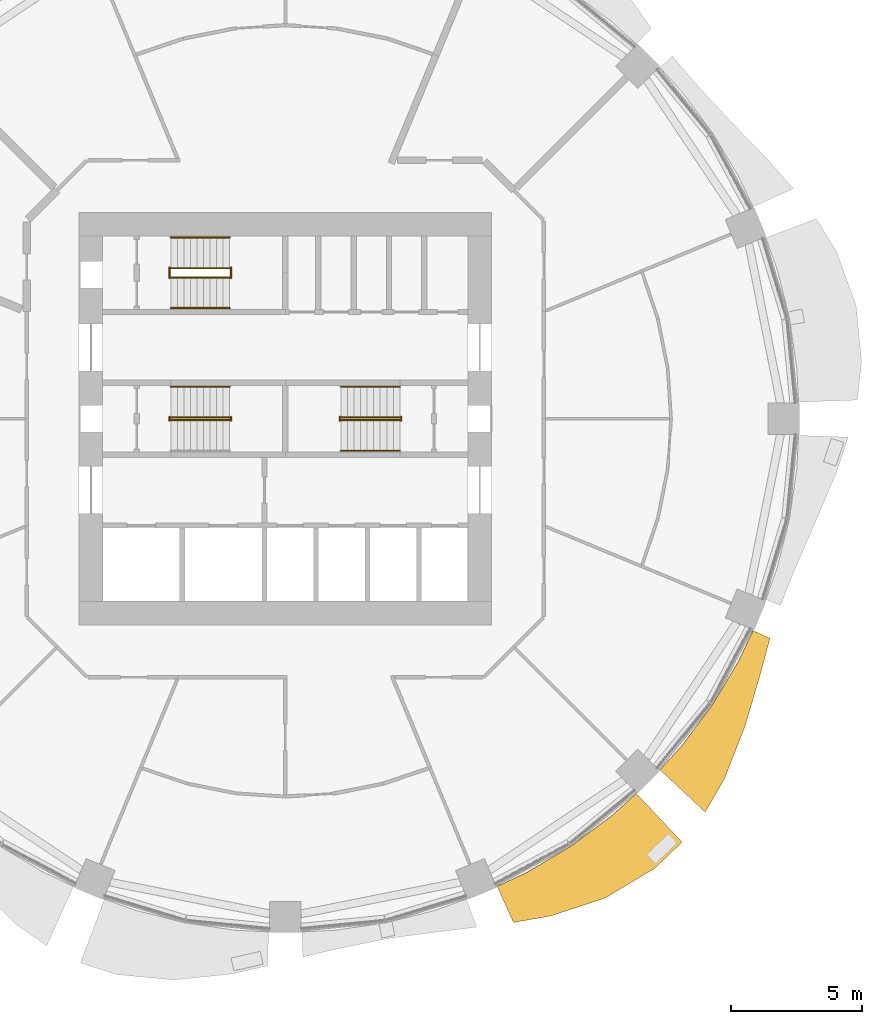
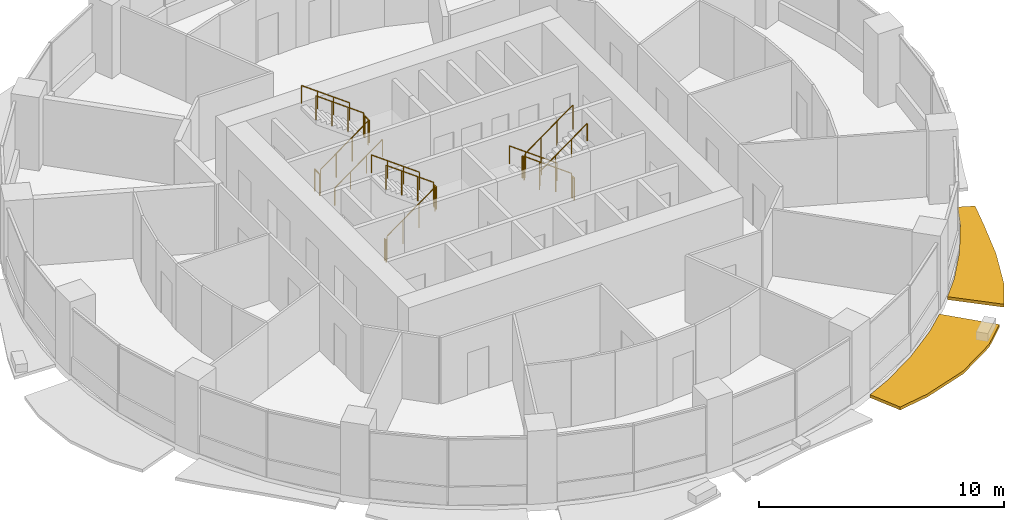
# One storey, part 13 of 15: 17 railings, 2 shading devices.
"""IFC4 building model written with IfcOpenShell, lengths in metres."""

import ifcopenshell
import ifcopenshell.guid

model = None  # the IFC model being written
_history = None  # IfcOwnerHistory: only IFC2X3 demands one
_inside = {}  # id of a spatial element -> (the spatial element, [elements in it])
_under = {}  # id of a project, library or spatial element -> (it, [spatial elements below it])
_declared = {}  # id of a project -> (the project, [libraries it declares])
_typed = {}  # id of a type object -> (the type object, [elements of that type])
_made_of = {}  # id of a material, layer set ... -> (it, [elements and type objects made of it])


def new_model(schema):
    """Start an empty IFC model of exactly this schema.

    Asked for "IFC4X3", IfcOpenShell would pick the latest addendum, in which some entities
    have other attributes; the version numbers below select the first issue.
    IFC2X3 requires an IfcOwnerHistory on every rooted entity: one is made here for all.
    """
    global model, _history
    if schema == "IFC4X3":
        model = ifcopenshell.file(schema_version=(4, 3, 0, 0))
    else:
        model = ifcopenshell.file(schema=schema)
    _inside.clear()
    _under.clear()
    _declared.clear()
    _typed.clear()
    _made_of.clear()
    _history = None
    if model.schema == "IFC2X3":
        org = make("IfcOrganization", Name="unknown")
        user = make(
            "IfcPersonAndOrganization",
            ThePerson=make("IfcPerson", FamilyName="unknown"),
            TheOrganization=org,
        )
        app = make(
            "IfcApplication",
            ApplicationDeveloper=org,
            Version="unknown",
            ApplicationFullName="unknown",
            ApplicationIdentifier="unknown",
        )
        _history = make(
            "IfcOwnerHistory",
            OwningUser=user,
            OwningApplication=app,
            ChangeAction="ADDED",
            CreationDate=0,
        )
    return model


def make(cls, **values):
    """One entity of the class cls with the attributes given. An attribute that is None is left unset."""
    return model.create_entity(
        cls, **{name: value for name, value in values.items() if value is not None}
    )


def rooted(cls, **values):
    """An entity with a GlobalId (a new one), such as an element, a storey or a relation."""
    return make(cls, GlobalId=ifcopenshell.guid.new(), OwnerHistory=_history, **values)


def si_unit(unit_type, name, prefix=None):
    """IfcSIUnit, for example si_unit("LENGTHUNIT", "METRE", prefix="MILLI")."""
    return make("IfcSIUnit", UnitType=unit_type, Prefix=prefix, Name=name)


def assignment(units):
    """IfcUnitAssignment: the units of a project."""
    return None if units is None else make("IfcUnitAssignment", Units=units)


def point(xyz):
    """IfcCartesianPoint."""
    return None if xyz is None else make("IfcCartesianPoint", Coordinates=xyz)


def direction(xyz):
    """IfcDirection."""
    return None if xyz is None else make("IfcDirection", DirectionRatios=xyz)


def frame(location, z_axis=None, x_axis=None):
    """IfcAxis2Placement3D, a coordinate frame: its origin and axes. An axis left out is left unset."""
    return make(
        "IfcAxis2Placement3D",
        Location=point(location),
        Axis=direction(z_axis),
        RefDirection=direction(x_axis),
    )


def frame_2d(location, x_axis=None):
    """IfcAxis2Placement2D, a coordinate frame in the plane: its origin and x axis."""
    return make(
        "IfcAxis2Placement2D", Location=point(location), RefDirection=direction(x_axis)
    )


def origin():
    """The frame at (0, 0, 0) with its axes left unset."""
    return frame((0.0, 0.0, 0.0))


def origin_2d():
    """The frame at (0, 0) in the plane with its x axis left unset."""
    return frame_2d((0.0, 0.0))


def place(relative_to, where):
    """IfcLocalPlacement: puts the frame where relative to a parent placement (None: the world)."""
    return make(
        "IfcLocalPlacement", PlacementRelTo=relative_to, RelativePlacement=where
    )


def context(
    kind, dimensions, precision=None, world=None, true_north=None, identifier=None
):
    """IfcGeometricRepresentationContext, for example the 3D "Model" context."""
    return make(
        "IfcGeometricRepresentationContext",
        ContextIdentifier=identifier,
        ContextType=kind,
        CoordinateSpaceDimension=dimensions,
        Precision=precision,
        WorldCoordinateSystem=world,
        TrueNorth=true_north,
    )


def subcontext(parent, identifier, kind, view, scale=None):
    """IfcGeometricRepresentationSubContext, for example "Body" below "Model"."""
    return make(
        "IfcGeometricRepresentationSubContext",
        ContextIdentifier=identifier,
        ContextType=kind,
        ParentContext=parent,
        TargetScale=scale,
        TargetView=view,
    )


def project(units=None, contexts=None):
    """IfcProject with its units and contexts."""
    return rooted(
        "IfcProject",
        Name="project",
        RepresentationContexts=contexts,
        UnitsInContext=assignment(units),
    )


def spatial(cls, under=None, at=None, **own):
    """A site, building, storey or space (cls), placed at a placement, below another one or the project."""
    s = rooted(cls, ObjectPlacement=at, **own)
    if under is not None:
        _under.setdefault(under.id(), (under, []))[1].append(s)
    return s


def polyline(points):
    """IfcPolyline through the points."""
    return make("IfcPolyline", Points=[point(p) for p in points])


def profile(cls, at=None, kind="AREA", **sizes):
    """A parametric profile (cls). Its sizes go by their IFC names, for example OverallWidth=200.0."""
    return make(cls, ProfileType=kind, Position=at, **sizes)


def circle(**sizes):
    """IfcCircleProfileDef."""
    return profile("IfcCircleProfileDef", **sizes)


def outline(outer, holes=None, kind="AREA"):
    """IfcArbitraryClosedProfileDef: a profile drawn as a closed curve; with holes, ...WithVoids."""
    if holes is None:
        return make("IfcArbitraryClosedProfileDef", ProfileType=kind, OuterCurve=outer)
    return make(
        "IfcArbitraryProfileDefWithVoids",
        ProfileType=kind,
        OuterCurve=outer,
        InnerCurves=holes,
    )


def extrude(swept, where, along, depth):
    """IfcExtrudedAreaSolid: the profile swept, set in the frame where, extruded along a direction by depth."""
    return make(
        "IfcExtrudedAreaSolid",
        SweptArea=swept,
        Position=where,
        ExtrudedDirection=direction(along),
        Depth=depth,
    )


def shape(context_of_items, identifier, shape_type, items):
    """IfcShapeRepresentation: the items that make up one representation, for example the "Body"."""
    return make(
        "IfcShapeRepresentation",
        ContextOfItems=context_of_items,
        RepresentationIdentifier=identifier,
        RepresentationType=shape_type,
        Items=items,
    )


def material(Name=None, Category=None):
    """IfcMaterial."""
    return make("IfcMaterial", Name=Name, Category=Category)


def made_of(thing, what):
    """Note that an element or type object is made of a material, layer set ...; save() writes the relation."""
    if what is not None:
        _made_of.setdefault(what.id(), (what, []))[1].append(thing)
    return thing


def type_object(cls, material=None, **own):
    """A type object (cls), such as IfcWallType, which elements share."""
    return made_of(rooted(cls, **own), material)


def element(
    cls,
    number,
    at=None,
    inside=None,
    cuts=None,
    type_object=None,
    material=None,
    context=None,
    identifier="Body",
    shape_type=None,
    held_by="IfcProductDefinitionShape",
    body=None,
    shapes=None,
    **own,
):
    """One element of the class cls, such as IfcWall. Its Tag is "e" and its number.

    at: its placement. inside: the storey or other place that contains it. cuts: it is an
    opening in that element (IfcRelVoidsElement). A single representation is given by context,
    identifier, shape_type and body (its items); several are given by shapes. held_by: the class
    of the entity that holds the representations. save() writes the other relations.
    """
    e = rooted(cls, Tag="e%d" % number, ObjectPlacement=at, **own)
    if body is not None:
        shapes = [shape(context, identifier, shape_type, body)]
    if shapes is not None:
        e.Representation = make(held_by, Representations=shapes)
    if inside is not None:
        _inside.setdefault(inside.id(), (inside, []))[1].append(e)
    if cuts is not None:
        rooted(
            "IfcRelVoidsElement", RelatingBuildingElement=cuts, RelatedOpeningElement=e
        )
    if type_object is not None:
        _typed.setdefault(type_object.id(), (type_object, []))[1].append(e)
    return made_of(e, material)


def aggregate(whole, parts):
    """IfcRelAggregates: a whole, such as a stair, and the parts it consists of."""
    return rooted("IfcRelAggregates", RelatingObject=whole, RelatedObjects=parts)


def save(model, path):
    """Write the relations noted so far, then the file.

    IfcRelAggregates (storeys below a building ...), IfcRelContainedInSpatialStructure (elements
    in a storey), IfcRelDefinesByType, IfcRelAssociatesMaterial and IfcRelDeclares: one each for
    every whole, place, type object, material and project.
    """
    for whole, parts in _under.values():
        aggregate(whole, parts)
    for where, things in _inside.values():
        rooted(
            "IfcRelContainedInSpatialStructure",
            RelatedElements=things,
            RelatingStructure=where,
        )
    for kind, things in _typed.values():
        rooted("IfcRelDefinesByType", RelatedObjects=things, RelatingType=kind)
    for what, things in _made_of.values():
        rooted("IfcRelAssociatesMaterial", RelatedObjects=things, RelatingMaterial=what)
    for by, libraries in _declared.values():
        rooted("IfcRelDeclares", RelatingContext=by, RelatedDefinitions=libraries)
    model.write(path)


model = new_model("IFC4")

# Units and contexts
model_context = context("Model", 3, precision=1e-05, world=origin(), true_north=direction((0.0, 1.0)))
body_context = subcontext(model_context, "Body", "Model", "MODEL_VIEW")
ifc_project = project(units=[si_unit("LENGTHUNIT", "METRE"), si_unit("AREAUNIT", "SQUARE_METRE"), si_unit("VOLUMEUNIT", "CUBIC_METRE"), si_unit("PLANEANGLEUNIT", "RADIAN"), si_unit("MASSUNIT", "GRAM", prefix="KILO")], contexts=[model_context])

# Site, building, storey
site_placement = place(None, origin())
site = spatial("IfcSite", under=ifc_project, at=site_placement, CompositionType="ELEMENT")
building_placement = place(site_placement, origin())
building = spatial("IfcBuilding", under=site, at=building_placement, Name="Polderwave Tower", CompositionType="ELEMENT")
storey_placement = place(building_placement, frame((0.0, 0.0, 48.10009765625)))
storey = spatial("IfcBuildingStorey", under=building, at=storey_placement, Name="L12", CompositionType="ELEMENT", Elevation=48.10009765625)

# Railings
ifc_material_1 = material(Name="Stainless steel", Category="steel")
railing_type_1 = type_object("IfcRailingType", Name="Stair guard 1100", PredefinedType="GUARDRAIL", material=ifc_material_1)
railing_1_placement = place(storey_placement, frame((-4.3740234375, -0.051025390625, 0.062255859375)))
element("IfcRailing", 1, at=railing_1_placement, inside=storey, type_object=railing_type_1, Name="L12 ST-A stair guard 1", PredefinedType="GUARDRAIL", context=body_context, shape_type="SweptSolid", body=[
    extrude(circle(Radius=0.02392578125, at=origin_2d()), frame((0.0, 0.0, 1.1962890625), z_axis=(0.807673635365, 0.0, 0.58962979804), x_axis=(0.0, 1.0, 0.0)), (0.0, 0.0, 1.0), 2.785888671875),
    extrude(circle(Radius=0.02392578125, at=origin_2d()), origin(), (0.0, 0.0, 1.0), 1.172119140625),
    extrude(circle(Radius=0.02392578125, at=origin_2d()), frame((0.75, 0.0, 0.547607421875)), (0.0, 0.0, 1.0), 1.172119140625),
    extrude(circle(Radius=0.02392578125, at=origin_2d()), frame((1.5, 0.0, 1.094970703125)), (0.0, 0.0, 1.0), 1.172119140625),
    extrude(circle(Radius=0.02392578125, at=origin_2d()), frame((2.25, 0.0, 1.642578125)), (0.0, 0.0, 1.0), 1.172119140625),
])
railing_2_placement = place(storey_placement, frame((-2.073974609375, -0.074951171875, 1.824951171875)))
element("IfcRailing", 2, at=railing_2_placement, inside=storey, type_object=railing_type_1, Name="L12 ST-A stair guard 2", PredefinedType="GUARDRAIL", context=body_context, shape_type="SweptSolid", body=[
    extrude(circle(Radius=0.02392578125, at=origin_2d()), frame((0.0, 0.0, 1.076171875), z_axis=(0.0, 1.0, 0.0), x_axis=(-1.0, 0.0, 0.0)), (0.0, 0.0, 1.0), 0.14990234375),
    extrude(circle(Radius=0.02099609375, at=origin_2d()), origin(), (0.0, 0.0, 1.0), 1.052001953125),
    extrude(circle(Radius=0.02099609375, at=origin_2d()), frame((0.0, 0.14990234375, 0.0)), (0.0, 0.0, 1.0), 1.052001953125),
])
railing_3_placement = place(storey_placement, frame((-2.1240234375, 0.051025390625, 1.88720703125)))
element("IfcRailing", 3, at=railing_3_placement, inside=storey, type_object=railing_type_1, Name="L12 ST-A stair guard 3", PredefinedType="GUARDRAIL", context=body_context, shape_type="SweptSolid", body=[
    extrude(circle(Radius=0.02392578125, at=origin_2d()), frame((0.0, 0.0, 1.1962890625), z_axis=(-0.807673635365, 0.0, 0.58962979804), x_axis=(0.0, -1.0, 0.0)), (0.0, 0.0, 1.0), 2.785888671875),
    extrude(circle(Radius=0.02392578125, at=origin_2d()), origin(), (0.0, 0.0, 1.0), 1.172119140625),
    extrude(circle(Radius=0.02392578125, at=origin_2d()), frame((-0.75, 0.0, 0.547607421875)), (0.0, 0.0, 1.0), 1.172119140625),
    extrude(circle(Radius=0.02392578125, at=origin_2d()), frame((-1.5, 0.0, 1.094970703125)), (0.0, 0.0, 1.0), 1.172119140625),
    extrude(circle(Radius=0.02392578125, at=origin_2d()), frame((-2.25, 0.0, 1.642578125)), (0.0, 0.0, 1.0), 1.172119140625),
])
railing_4_placement = place(storey_placement, frame((-4.424072265625, -0.074951171875, 0.0)))
element("IfcRailing", 4, at=railing_4_placement, inside=storey, type_object=railing_type_1, Name="L12 ST-A stair guard 4", PredefinedType="GUARDRAIL", context=body_context, shape_type="SweptSolid", body=[
    extrude(circle(Radius=0.02392578125, at=origin_2d()), frame((0.0, 0.0, 1.076171875), z_axis=(0.0, 1.0, 0.0), x_axis=(-1.0, 0.0, 0.0)), (0.0, 0.0, 1.0), 0.14990234375),
    extrude(circle(Radius=0.02099609375, at=origin_2d()), origin(), (0.0, 0.0, 1.0), 1.052001953125),
    extrude(circle(Radius=0.02099609375, at=origin_2d()), frame((0.0, 0.14990234375, 0.0)), (0.0, 0.0, 1.0), 1.052001953125),
])
railing_5_placement = place(storey_placement, frame((4.3740234375, 0.051025390625, 0.062255859375)))
element("IfcRailing", 5, at=railing_5_placement, inside=storey, type_object=railing_type_1, Name="L12 ST-B stair guard 1", PredefinedType="GUARDRAIL", context=body_context, shape_type="SweptSolid", body=[
    extrude(circle(Radius=0.02392578125, at=origin_2d()), frame((0.0, 0.0, 1.1962890625), z_axis=(-0.807673635365, 0.0, 0.58962979804), x_axis=(0.0, -1.0, 0.0)), (0.0, 0.0, 1.0), 2.785888671875),
    extrude(circle(Radius=0.02392578125, at=origin_2d()), origin(), (0.0, 0.0, 1.0), 1.172119140625),
    extrude(circle(Radius=0.02392578125, at=origin_2d()), frame((-0.75, 0.0, 0.547607421875)), (0.0, 0.0, 1.0), 1.172119140625),
    extrude(circle(Radius=0.02392578125, at=origin_2d()), frame((-1.5, 0.0, 1.094970703125)), (0.0, 0.0, 1.0), 1.172119140625),
    extrude(circle(Radius=0.02392578125, at=origin_2d()), frame((-2.25, 0.0, 1.642578125)), (0.0, 0.0, 1.0), 1.172119140625),
])
railing_6_placement = place(storey_placement, frame((2.073974609375, 0.074951171875, 1.824951171875)))
element("IfcRailing", 6, at=railing_6_placement, inside=storey, type_object=railing_type_1, Name="L12 ST-B stair guard 2", PredefinedType="GUARDRAIL", context=body_context, shape_type="SweptSolid", body=[
    extrude(circle(Radius=0.02392578125, at=origin_2d()), frame((0.0, 0.0, 1.076171875), z_axis=(0.0, -1.0, 0.0), x_axis=(1.0, 0.0, 0.0)), (0.0, 0.0, 1.0), 0.14990234375),
    extrude(circle(Radius=0.02099609375, at=origin_2d()), origin(), (0.0, 0.0, 1.0), 1.052001953125),
    extrude(circle(Radius=0.02099609375, at=origin_2d()), frame((0.0, -0.14990234375, 0.0)), (0.0, 0.0, 1.0), 1.052001953125),
])
railing_7_placement = place(storey_placement, frame((2.1240234375, -0.051025390625, 1.88720703125)))
element("IfcRailing", 7, at=railing_7_placement, inside=storey, type_object=railing_type_1, Name="L12 ST-B stair guard 3", PredefinedType="GUARDRAIL", context=body_context, shape_type="SweptSolid", body=[
    extrude(circle(Radius=0.02392578125, at=origin_2d()), frame((0.0, 0.0, 1.1962890625), z_axis=(0.807673635365, 0.0, 0.58962979804), x_axis=(0.0, 1.0, 0.0)), (0.0, 0.0, 1.0), 2.785888671875),
    extrude(circle(Radius=0.02392578125, at=origin_2d()), origin(), (0.0, 0.0, 1.0), 1.172119140625),
    extrude(circle(Radius=0.02392578125, at=origin_2d()), frame((0.75, 0.0, 0.547607421875)), (0.0, 0.0, 1.0), 1.172119140625),
    extrude(circle(Radius=0.02392578125, at=origin_2d()), frame((1.5, 0.0, 1.094970703125)), (0.0, 0.0, 1.0), 1.172119140625),
    extrude(circle(Radius=0.02392578125, at=origin_2d()), frame((2.25, 0.0, 1.642578125)), (0.0, 0.0, 1.0), 1.172119140625),
])
railing_8_placement = place(storey_placement, frame((4.424072265625, 0.074951171875, 0.0)))
element("IfcRailing", 8, at=railing_8_placement, inside=storey, type_object=railing_type_1, Name="L12 ST-B stair guard 4", PredefinedType="GUARDRAIL", context=body_context, shape_type="SweptSolid", body=[
    extrude(circle(Radius=0.02392578125, at=origin_2d()), frame((0.0, 0.0, 1.076171875), z_axis=(0.0, -1.0, 0.0), x_axis=(1.0, 0.0, 0.0)), (0.0, 0.0, 1.0), 0.14990234375),
    extrude(circle(Radius=0.02099609375, at=origin_2d()), origin(), (0.0, 0.0, 1.0), 1.052001953125),
    extrude(circle(Radius=0.02099609375, at=origin_2d()), frame((0.0, -0.14990234375, 0.0)), (0.0, 0.0, 1.0), 1.052001953125),
])
railing_9_placement = place(storey_placement, frame((-4.3740234375, 5.39794921875, 0.062255859375)))
element("IfcRailing", 9, at=railing_9_placement, inside=storey, type_object=railing_type_1, Name="L12 ST-C stair guard 1", PredefinedType="GUARDRAIL", context=body_context, shape_type="SweptSolid", body=[
    extrude(circle(Radius=0.02392578125, at=origin_2d()), frame((0.0, 0.0, 1.1962890625), z_axis=(0.807673635365, 0.0, 0.58962979804), x_axis=(0.0, 1.0, 0.0)), (0.0, 0.0, 1.0), 2.785888671875),
    extrude(circle(Radius=0.02392578125, at=origin_2d()), origin(), (0.0, 0.0, 1.0), 1.172119140625),
    extrude(circle(Radius=0.02392578125, at=origin_2d()), frame((0.75, 0.0, 0.547607421875)), (0.0, 0.0, 1.0), 1.172119140625),
    extrude(circle(Radius=0.02392578125, at=origin_2d()), frame((1.5, 0.0, 1.094970703125)), (0.0, 0.0, 1.0), 1.172119140625),
    extrude(circle(Radius=0.02392578125, at=origin_2d()), frame((2.25, 0.0, 1.642578125)), (0.0, 0.0, 1.0), 1.172119140625),
])
railing_10_placement = place(storey_placement, frame((-2.073974609375, 5.3740234375, 1.824951171875)))
element("IfcRailing", 10, at=railing_10_placement, inside=storey, type_object=railing_type_1, Name="L12 ST-C stair guard 2", PredefinedType="GUARDRAIL", context=body_context, shape_type="SweptSolid", body=[
    extrude(circle(Radius=0.02392578125, at=origin_2d()), frame((0.0, 0.0, 1.076171875), z_axis=(0.0, 1.0, 0.0), x_axis=(-1.0, 0.0, 0.0)), (0.0, 0.0, 1.0), 0.39990234375),
    extrude(circle(Radius=0.02099609375, at=origin_2d()), origin(), (0.0, 0.0, 1.0), 1.052001953125),
    extrude(circle(Radius=0.02099609375, at=origin_2d()), frame((0.0, 0.39990234375, 0.0)), (0.0, 0.0, 1.0), 1.052001953125),
])
railing_11_placement = place(storey_placement, frame((-2.1240234375, 5.75, 1.88720703125)))
element("IfcRailing", 11, at=railing_11_placement, inside=storey, type_object=railing_type_1, Name="L12 ST-C stair guard 3", PredefinedType="GUARDRAIL", context=body_context, shape_type="SweptSolid", body=[
    extrude(circle(Radius=0.02392578125, at=origin_2d()), frame((0.0, 0.0, 1.1962890625), z_axis=(-0.807673635365, 0.0, 0.58962979804), x_axis=(0.0, -1.0, 0.0)), (0.0, 0.0, 1.0), 2.785888671875),
    extrude(circle(Radius=0.02392578125, at=origin_2d()), origin(), (0.0, 0.0, 1.0), 1.172119140625),
    extrude(circle(Radius=0.02392578125, at=origin_2d()), frame((-0.75, 0.0, 0.547607421875)), (0.0, 0.0, 1.0), 1.172119140625),
    extrude(circle(Radius=0.02392578125, at=origin_2d()), frame((-1.5, 0.0, 1.094970703125)), (0.0, 0.0, 1.0), 1.172119140625),
    extrude(circle(Radius=0.02392578125, at=origin_2d()), frame((-2.25, 0.0, 1.642578125)), (0.0, 0.0, 1.0), 1.172119140625),
])
railing_12_placement = place(storey_placement, frame((-4.424072265625, 5.3740234375, 0.0)))
element("IfcRailing", 12, at=railing_12_placement, inside=storey, type_object=railing_type_1, Name="L12 ST-C stair guard 4", PredefinedType="GUARDRAIL", context=body_context, shape_type="SweptSolid", body=[
    extrude(circle(Radius=0.02392578125, at=origin_2d()), frame((0.0, 0.0, 1.076171875), z_axis=(0.0, 1.0, 0.0), x_axis=(-1.0, 0.0, 0.0)), (0.0, 0.0, 1.0), 0.39990234375),
    extrude(circle(Radius=0.02099609375, at=origin_2d()), origin(), (0.0, 0.0, 1.0), 1.052001953125),
    extrude(circle(Radius=0.02099609375, at=origin_2d()), frame((0.0, 0.39990234375, 0.0)), (0.0, 0.0, 1.0), 1.052001953125),
])
railing_type_2 = type_object("IfcRailingType", Name="Stair handrail 900", PredefinedType="HANDRAIL", material=ifc_material_1)
for number, where, name in (
    (13, (-2.1240234375, 1.22509765625, 2.00732421875), "L12 ST-A stair handrail 2"),
    (14, (4.3740234375, 1.22509765625, 0.182373046875), "L12 ST-B stair handrail 1"),
):
    element("IfcRailing", number, at=place(storey_placement, frame(where)), inside=storey, type_object=railing_type_2, Name=name, PredefinedType="HANDRAIL", context=body_context, shape_type="SweptSolid", body=[
        extrude(circle(Radius=0.02392578125, at=origin_2d()), frame((0.0, 0.0, 0.8759765625), z_axis=(-0.807673635365, 0.0, 0.58962979804), x_axis=(0.0, -1.0, 0.0)), (0.0, 0.0, 1.0), 2.785888671875),
        extrude(circle(Radius=0.02099609375, at=origin_2d()), origin(), (0.0, 0.0, 1.0), 0.851806640625),
        extrude(circle(Radius=0.02099609375, at=origin_2d()), frame((-0.75, 0.0, 0.547607421875)), (0.0, 0.0, 1.0), 0.851806640625),
        extrude(circle(Radius=0.02099609375, at=origin_2d()), frame((-1.5, 0.0, 1.094970703125)), (0.0, 0.0, 1.0), 0.851806640625),
        extrude(circle(Radius=0.02099609375, at=origin_2d()), frame((-2.25, 0.0, 1.642578125)), (0.0, 0.0, 1.0), 0.851806640625),
    ])
for number, where, name in (
    (15, (2.1240234375, -1.22509765625, 2.00732421875), "L12 ST-B stair handrail 2"),
    (16, (-4.3740234375, 4.22412109375, 0.182373046875), "L12 ST-C stair handrail 1"),
):
    element("IfcRailing", number, at=place(storey_placement, frame(where)), inside=storey, type_object=railing_type_2, Name=name, PredefinedType="HANDRAIL", context=body_context, shape_type="SweptSolid", body=[
        extrude(circle(Radius=0.02392578125, at=origin_2d()), frame((0.0, 0.0, 0.8759765625), z_axis=(0.807673635365, 0.0, 0.58962979804), x_axis=(0.0, 1.0, 0.0)), (0.0, 0.0, 1.0), 2.785888671875),
        extrude(circle(Radius=0.02099609375, at=origin_2d()), origin(), (0.0, 0.0, 1.0), 0.851806640625),
        extrude(circle(Radius=0.02099609375, at=origin_2d()), frame((0.75, 0.0, 0.547607421875)), (0.0, 0.0, 1.0), 0.851806640625),
        extrude(circle(Radius=0.02099609375, at=origin_2d()), frame((1.5, 0.0, 1.094970703125)), (0.0, 0.0, 1.0), 0.851806640625),
        extrude(circle(Radius=0.02099609375, at=origin_2d()), frame((2.25, 0.0, 1.642578125)), (0.0, 0.0, 1.0), 0.851806640625),
    ])
railing_13_placement = place(storey_placement, frame((-2.1240234375, 6.924072265625, 2.00732421875)))
element("IfcRailing", 17, at=railing_13_placement, inside=storey, type_object=railing_type_2, Name="L12 ST-C stair handrail 2", PredefinedType="HANDRAIL", context=body_context, shape_type="SweptSolid", body=[
    extrude(circle(Radius=0.02392578125, at=origin_2d()), frame((0.0, 0.0, 0.8759765625), z_axis=(-0.807673635365, 0.0, 0.58962979804), x_axis=(0.0, -1.0, 0.0)), (0.0, 0.0, 1.0), 2.785888671875),
    extrude(circle(Radius=0.02099609375, at=origin_2d()), origin(), (0.0, 0.0, 1.0), 0.851806640625),
    extrude(circle(Radius=0.02099609375, at=origin_2d()), frame((-0.75, 0.0, 0.547607421875)), (0.0, 0.0, 1.0), 0.851806640625),
    extrude(circle(Radius=0.02099609375, at=origin_2d()), frame((-1.5, 0.0, 1.094970703125)), (0.0, 0.0, 1.0), 0.851806640625),
    extrude(circle(Radius=0.02099609375, at=origin_2d()), frame((-2.25, 0.0, 1.642578125)), (0.0, 0.0, 1.0), 0.851806640625),
])

# Shading devices
ifc_material_2 = material(Name="Terracotta", Category="masonry")
shading_device_type = type_object("IfcShadingDeviceType", Name="Terracotta sunshade band", PredefinedType="USERDEFINED", material=ifc_material_2)
shading_device_1_placement = place(storey_placement, frame((0.0, 0.0, -0.35009765625)))
element("IfcShadingDevice", 18, at=shading_device_1_placement, inside=storey, type_object=shading_device_type, Name="Sunshade band L12 14", ObjectType="SUNSHADE", PredefinedType="USERDEFINED", context=body_context, shape_type="SweptSolid", body=[
    extrude(outline(polyline([(8.089599609375, -17.862548828125), (9.25341796875, -17.31201171875), (10.90576171875, -16.32177734375), (12.453125, -15.17431640625), (13.4072265625, -14.3095703125), (15.15283203125, -16.1728515625), (14.10009765625, -17.18115234375), (12.22802734375, -18.30078125), (10.149658203125, -18.988525390625), (8.71337890625, -19.239990234375), (8.089599609375, -17.862548828125)])), origin(), (0.0, 0.0, 1.0), 0.14990234375),
])
shading_device_2_placement = place(storey_placement, frame((0.0, 0.0, -0.35009765625)))
element("IfcShadingDevice", 19, at=shading_device_2_placement, inside=storey, type_object=shading_device_type, Name="Sunshade band L12 15", ObjectType="SUNSHADE", PredefinedType="USERDEFINED", context=body_context, shape_type="SweptSolid", body=[
    extrude(outline(polyline([(14.3095703125, -13.4072265625), (15.17431640625, -12.453125), (16.32177734375, -10.90576171875), (17.31201171875, -9.25341796875), (17.862548828125, -8.089599609375), (18.51171875, -8.38330078125), (18.156005859375, -9.70458984375), (17.561279296875, -11.734130859375), (16.767822265625, -13.760986328125), (16.03662109375, -15.025390625), (14.3095703125, -13.4072265625)])), origin(), (0.0, 0.0, 1.0), 0.14990234375),
])

save(model, "model.ifc")
